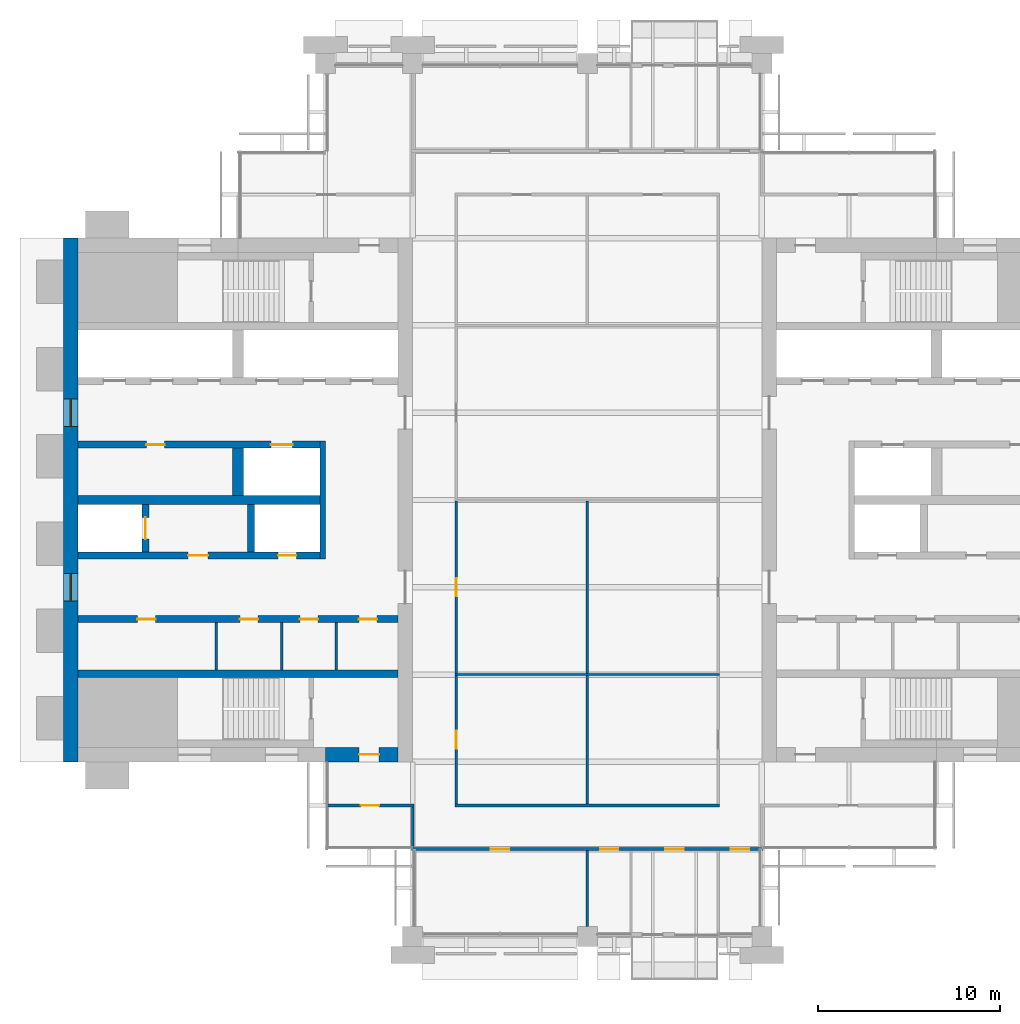
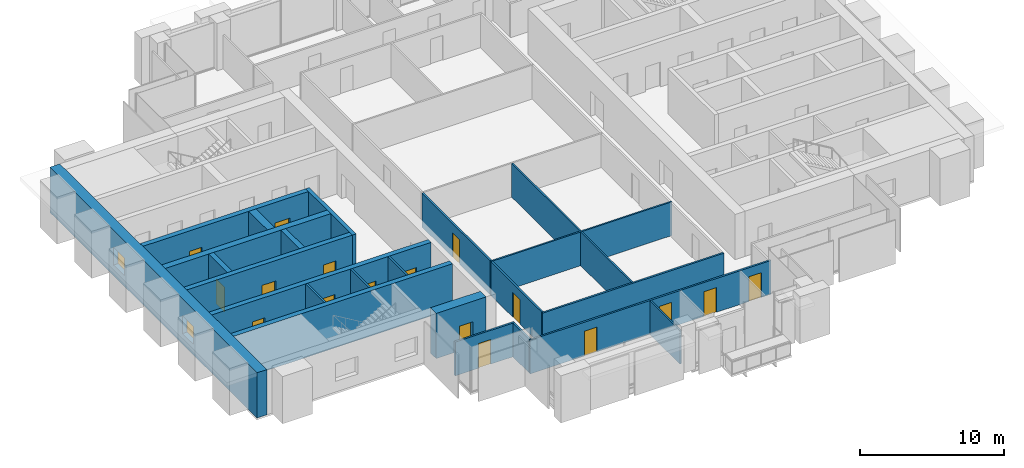
# One storey, part 8 of 14: 24 walls, 17 doors, 2 windows, 19 openings.
"""IFC4 building model written with IfcOpenShell, lengths in metres."""

from ifc_helpers import new_model, si_unit, direction, frame, frame_2d, origin, place, context, subcontext, project, spatial, rectangle, extrude, material, layer, layer_set, type_object, element, fill, save


model = new_model("IFC4")

# Units and contexts
model_context = context("Model", 3, precision=1e-05, world=origin(), true_north=direction((0.0, 1.0)))
body_context = subcontext(model_context, "Body", "Model", "MODEL_VIEW")
ifc_project = project(units=[si_unit("LENGTHUNIT", "METRE"), si_unit("AREAUNIT", "SQUARE_METRE"), si_unit("VOLUMEUNIT", "CUBIC_METRE"), si_unit("PLANEANGLEUNIT", "RADIAN"), si_unit("MASSUNIT", "GRAM", prefix="KILO")], contexts=[model_context])

# Site, building, storey
site_placement = place(None, origin())
site = spatial("IfcSite", under=ifc_project, at=site_placement, CompositionType="ELEMENT")
building_placement = place(site_placement, origin())
building = spatial("IfcBuilding", under=site, at=building_placement, Name="Baori Bourse Tower", CompositionType="ELEMENT")
storey_placement = place(building_placement, frame((0.0, 0.0, 221.199951171875)))
storey = spatial("IfcBuildingStorey", under=building, at=storey_placement, Name="L48", CompositionType="ELEMENT", Elevation=221.199951171875)

# Walls
ifc_material_1 = material(Name="Blockwork partition", Category="masonry")
ifc_layer_1 = layer(ifc_material_1, 0.14990234375)
ifc_layer_set_1 = layer_set([ifc_layer_1], Name="Core partition 150")
wall_type_1 = type_object("IfcWallType", Name="Core partition 150", PredefinedType="PARTITIONING", material=ifc_layer_set_1)
for number, where, z_axis, x_axis, name in (
    (1, (8.39990234375, 14.64990234375, 0.0), (0.0, 0.0, 1.0), (0.0, 1.0, 0.0), "Partition wall W09"),
    (2, (12.0, 14.64990234375, 0.0), (0.0, 0.0, 1.0), (0.0, 1.0, 0.0), "Partition wall W10"),
    (3, (15.0, 14.64990234375, 0.0), (0.0, 0.0, 1.0), (0.0, 1.0, 0.0), "Partition wall W11"),
):
    element("IfcWall", number, at=place(storey_placement, frame(where, z_axis=z_axis, x_axis=x_axis)), inside=storey, type_object=wall_type_1, Name=name, PredefinedType="PARTITIONING", context=body_context, shape_type="SweptSolid", body=[
        extrude(rectangle(XDim=2.60009765625, YDim=0.14990234375, at=frame_2d((1.300048828125, 0.0))), origin(), (0.0, 0.0, 1.0), 3.840087890625),
    ])

# Wall, openings, windows
ifc_material_2 = material(Name="Concrete f'c 50 MPa", Category="concrete")
ifc_layer_2 = layer(ifc_material_2, 0.800048828125)
ifc_layer_set_2 = layer_set([ifc_layer_2], Name="Core wall 800 f'c 50")
wall_type_2 = type_object("IfcWallType", Name="Core wall 800 f'c 50", PredefinedType="SHEAR", material=ifc_layer_set_2)
wall_1_placement = place(storey_placement, frame((0.39990234375, 9.60009765625, 0.0), z_axis=(0.0, 0.0, 1.0), x_axis=(0.0, 1.0, 0.0)))
wall_1 = element("IfcWall", 4, at=wall_1_placement, inside=storey, type_object=wall_type_2, Name="Core wall W01", PredefinedType="SHEAR", context=body_context, shape_type="SweptSolid", body=[
    extrude(rectangle(XDim=28.7998046875, YDim=0.800048828125, at=frame_2d((14.39990234375, 0.0))), origin(), (0.0, 0.0, 1.0), 3.840087890625),
])
opening_1_placement = place(wall_1_placement, frame((8.85009765625, 0.0, 0.89990234375)))
opening_1 = element("IfcOpeningElement", 5, at=opening_1_placement, cuts=wall_1, Name="Opening L48-KW101", PredefinedType="OPENING", context=body_context, shape_type="SweptSolid", body=[
    extrude(rectangle(XDim=1.5, YDim=1.5, at=frame_2d((0.75, 0.75))), frame((0.0, 0.409912109375, 0.0), z_axis=(0.0, -1.0, 0.0), x_axis=(1.0, 0.0, 0.0)), (0.0, 0.0, 1.0), 0.820068359375),
])
opening_2_placement = place(wall_1_placement, frame((18.449951171875, 0.0, 0.89990234375)))
opening_2 = element("IfcOpeningElement", 6, at=opening_2_placement, cuts=wall_1, Name="Opening L48-KW102", PredefinedType="OPENING", context=body_context, shape_type="SweptSolid", body=[
    extrude(rectangle(XDim=1.5, YDim=1.5, at=frame_2d((0.75, 0.75))), frame((0.0, 0.409912109375, 0.0), z_axis=(0.0, -1.0, 0.0), x_axis=(1.0, 0.0, 0.0)), (0.0, 0.0, 1.0), 0.820068359375),
])
ifc_material_3 = material(Name="Pale anodised aluminium", Category="aluminium")
window_type = type_object("IfcWindowType", Name="Lobby window 1500 x 1500", PartitioningType="SINGLE_PANEL", PredefinedType="WINDOW", material=ifc_material_3)
window_1_placement = place(opening_1_placement, origin())
window_1 = element("IfcWindow", 7, at=window_1_placement, inside=storey, type_object=window_type, Name="Outer wall window W L48 1", OverallHeight=1.5, OverallWidth=1.5, PartitioningType="SINGLE_PANEL", PredefinedType="WINDOW", context=body_context, shape_type="SweptSolid", body=[
    extrude(rectangle(XDim=1.5, YDim=1.5, at=frame_2d((0.75, 0.75))), frame((0.0, 0.030029296875, 0.0), z_axis=(0.0, -1.0, 0.0), x_axis=(1.0, 0.0, 0.0)), (0.0, 0.0, 1.0), 0.06005859375),
])
fill(opening_1, window_1)
window_2_placement = place(opening_2_placement, origin())
window_2 = element("IfcWindow", 8, at=window_2_placement, inside=storey, type_object=window_type, Name="Outer wall window W L48 2", OverallHeight=1.5, OverallWidth=1.5, PartitioningType="SINGLE_PANEL", PredefinedType="WINDOW", context=body_context, shape_type="SweptSolid", body=[
    extrude(rectangle(XDim=1.5, YDim=1.5, at=frame_2d((0.75, 0.75))), frame((0.0, 0.030029296875, 0.0), z_axis=(0.0, -1.0, 0.0), x_axis=(1.0, 0.0, 0.0)), (0.0, 0.0, 1.0), 0.06005859375),
])
fill(opening_2, window_2)

# Wall, opening, door
wall_2_placement = place(storey_placement, frame((18.39990234375, 10.0, 0.0), z_axis=(0.0, 0.0, 1.0), x_axis=(-1.0, 0.0, 0.0)))
wall_2 = element("IfcWall", 9, at=wall_2_placement, inside=storey, type_object=wall_type_2, Name="Core wall W03", PredefinedType="SHEAR", context=body_context, shape_type="SweptSolid", body=[
    extrude(rectangle(XDim=4.0, YDim=0.800048828125, at=frame_2d((2.0, 0.0))), origin(), (0.0, 0.0, 1.0), 3.840087890625),
])
opening_3_placement = place(wall_2_placement, frame((1.050048828125, 0.0, 0.0)))
opening_3 = element("IfcOpeningElement", 10, at=opening_3_placement, cuts=wall_2, Name="Opening L48-D102", PredefinedType="OPENING", context=body_context, shape_type="SweptSolid", body=[
    extrude(rectangle(XDim=1.10009765625, YDim=2.10009765625, at=frame_2d((0.550048828125, 1.050048828125))), frame((0.0, 0.409912109375, 0.0), z_axis=(0.0, -1.0, 0.0), x_axis=(1.0, 0.0, 0.0)), (0.0, 0.0, 1.0), 0.820068359375),
])
ifc_material_4 = material(Name="Painted steel door", Category="steel")
door_type_1 = type_object("IfcDoorType", Name="Stair door 1100", OperationType="SINGLE_SWING_LEFT", PredefinedType="DOOR", material=ifc_material_4)
door_1_placement = place(opening_3_placement, origin())
door_1 = element("IfcDoor", 11, at=door_1_placement, inside=storey, type_object=door_type_1, Name="Stair vestibule door A W L48", OperationType="SINGLE_SWING_LEFT", OverallHeight=2.10009765625, OverallWidth=1.10009765625, PredefinedType="DOOR", context=body_context, shape_type="SweptSolid", body=[
    extrude(rectangle(XDim=1.10009765625, YDim=2.10009765625, at=frame_2d((0.550048828125, 1.050048828125))), frame((0.0, 0.02490234375, 0.0), z_axis=(0.0, -1.0, 0.0), x_axis=(1.0, 0.0, 0.0)), (0.0, 0.0, 1.0), 0.050048828125),
])
fill(opening_3, door_1)

# Wall, openings, doors
ifc_material_5 = material(Name="Gypsum board partition")
ifc_layer_3 = layer(ifc_material_5, 0.14990234375)
ifc_layer_set_3 = layer_set([ifc_layer_3], Name="Corridor partition 150")
wall_type_3 = type_object("IfcWallType", Name="Corridor partition 150", PredefinedType="PARTITIONING", material=ifc_layer_set_3)
wall_3_placement = place(storey_placement, frame((19.125, 4.800048828125, 0.0), z_axis=(0.0, 0.0, 1.0), x_axis=(1.0, 0.0, 0.0)))
wall_3 = element("IfcWall", 12, at=wall_3_placement, inside=storey, type_object=wall_type_3, Name="Partition", PredefinedType="PARTITIONING", context=body_context, shape_type="SweptSolid", body=[
    extrude(rectangle(XDim=19.35009765625, YDim=0.14990234375, at=frame_2d((9.675048828125, 0.0))), origin(), (0.0, 0.0, 1.0), 2.869873046875),
])
opening_4_placement = place(wall_3_placement, frame((4.375, 0.0, 0.0)))
opening_4 = element("IfcOpeningElement", 13, at=opening_4_placement, cuts=wall_3, Name="Opening L48-D01", PredefinedType="OPENING", context=body_context, shape_type="SweptSolid", body=[
    extrude(rectangle(XDim=1.0, YDim=2.10009765625, at=frame_2d((0.5, 1.050048828125))), frame((0.0, 0.0849609375, 0.0), z_axis=(0.0, -1.0, 0.0), x_axis=(1.0, 0.0, 0.0)), (0.0, 0.0, 1.0), 0.169921875),
])
opening_5_placement = place(wall_3_placement, frame((10.375, 0.0, 0.0)))
opening_5 = element("IfcOpeningElement", 14, at=opening_5_placement, cuts=wall_3, Name="Opening L48-D02", PredefinedType="OPENING", context=body_context, shape_type="SweptSolid", body=[
    extrude(rectangle(XDim=1.0, YDim=2.10009765625, at=frame_2d((0.5, 1.050048828125))), frame((0.0, 0.0849609375, 0.0), z_axis=(0.0, -1.0, 0.0), x_axis=(1.0, 0.0, 0.0)), (0.0, 0.0, 1.0), 0.169921875),
])
opening_6_placement = place(wall_3_placement, frame((13.97509765625, 0.0, 0.0)))
opening_6 = element("IfcOpeningElement", 15, at=opening_6_placement, cuts=wall_3, Name="Opening L48-D03", PredefinedType="OPENING", context=body_context, shape_type="SweptSolid", body=[
    extrude(rectangle(XDim=1.0, YDim=2.10009765625, at=frame_2d((0.5, 1.050048828125))), frame((0.0, 0.0849609375, 0.0), z_axis=(0.0, -1.0, 0.0), x_axis=(1.0, 0.0, 0.0)), (0.0, 0.0, 1.0), 0.169921875),
])
opening_7_placement = place(wall_3_placement, frame((17.574951171875, 0.0, 0.0)))
opening_7 = element("IfcOpeningElement", 16, at=opening_7_placement, cuts=wall_3, Name="Opening L48-D04", PredefinedType="OPENING", context=body_context, shape_type="SweptSolid", body=[
    extrude(rectangle(XDim=1.0, YDim=2.10009765625, at=frame_2d((0.5, 1.050048828125))), frame((0.0, 0.0849609375, 0.0), z_axis=(0.0, -1.0, 0.0), x_axis=(1.0, 0.0, 0.0)), (0.0, 0.0, 1.0), 0.169921875),
])
ifc_material_6 = material(Name="Timber door leaf", Category="wood")
door_type_2 = type_object("IfcDoorType", Name="Door 1000 x 2100", OperationType="SINGLE_SWING_LEFT", PredefinedType="DOOR", material=ifc_material_6)
door_2_placement = place(opening_4_placement, origin())
door_2 = element("IfcDoor", 17, at=door_2_placement, inside=storey, type_object=door_type_2, Name="Door", OperationType="SINGLE_SWING_LEFT", OverallHeight=2.10009765625, OverallWidth=1.0, PredefinedType="DOOR", context=body_context, shape_type="SweptSolid", body=[
    extrude(rectangle(XDim=1.0, YDim=2.10009765625, at=frame_2d((0.5, 1.050048828125))), frame((0.0, 0.02490234375, 0.0), z_axis=(0.0, -1.0, 0.0), x_axis=(1.0, 0.0, 0.0)), (0.0, 0.0, 1.0), 0.050048828125),
])
fill(opening_4, door_2)
door_3_placement = place(opening_5_placement, origin())
door_3 = element("IfcDoor", 18, at=door_3_placement, inside=storey, type_object=door_type_2, Name="Door", OperationType="SINGLE_SWING_RIGHT", OverallHeight=2.10009765625, OverallWidth=1.0, PredefinedType="DOOR", context=body_context, shape_type="SweptSolid", body=[
    extrude(rectangle(XDim=1.0, YDim=2.10009765625, at=frame_2d((0.5, 1.050048828125))), frame((0.0, 0.02490234375, 0.0), z_axis=(0.0, -1.0, 0.0), x_axis=(1.0, 0.0, 0.0)), (0.0, 0.0, 1.0), 0.050048828125),
])
fill(opening_5, door_3)
door_4_placement = place(opening_6_placement, origin())
door_4 = element("IfcDoor", 19, at=door_4_placement, inside=storey, type_object=door_type_2, Name="Door", OperationType="SINGLE_SWING_RIGHT", OverallHeight=2.10009765625, OverallWidth=1.0, PredefinedType="DOOR", context=body_context, shape_type="SweptSolid", body=[
    extrude(rectangle(XDim=1.0, YDim=2.10009765625, at=frame_2d((0.5, 1.050048828125))), frame((0.0, 0.02490234375, 0.0), z_axis=(0.0, -1.0, 0.0), x_axis=(1.0, 0.0, 0.0)), (0.0, 0.0, 1.0), 0.050048828125),
])
fill(opening_6, door_4)
door_5_placement = place(opening_7_placement, origin())
door_5 = element("IfcDoor", 20, at=door_5_placement, inside=storey, type_object=door_type_2, Name="Door", OperationType="SINGLE_SWING_RIGHT", OverallHeight=2.10009765625, OverallWidth=1.0, PredefinedType="DOOR", context=body_context, shape_type="SweptSolid", body=[
    extrude(rectangle(XDim=1.0, YDim=2.10009765625, at=frame_2d((0.5, 1.050048828125))), frame((0.0, 0.02490234375, 0.0), z_axis=(0.0, -1.0, 0.0), x_axis=(1.0, 0.0, 0.0)), (0.0, 0.0, 1.0), 0.050048828125),
])
fill(opening_7, door_5)

# Wall, opening, door
wall_4_placement = place(storey_placement, frame((14.5, 7.199951171875, 0.0), z_axis=(0.0, 0.0, 1.0), x_axis=(1.0, 0.0, 0.0)))
wall_4 = element("IfcWall", 21, at=wall_4_placement, inside=storey, type_object=wall_type_3, Name="Partition", PredefinedType="PARTITIONING", context=body_context, shape_type="SweptSolid", body=[
    extrude(rectangle(XDim=4.77490234375, YDim=0.14990234375, at=frame_2d((2.387451171875, 0.0))), origin(), (0.0, 0.0, 1.0), 2.869873046875),
])
opening_8_placement = place(wall_4_placement, frame((1.85009765625, 0.0, 0.0)))
opening_8 = element("IfcOpeningElement", 22, at=opening_8_placement, cuts=wall_4, Name="Opening L48-D05", PredefinedType="OPENING", context=body_context, shape_type="SweptSolid", body=[
    extrude(rectangle(XDim=1.0, YDim=2.10009765625, at=frame_2d((0.5, 1.050048828125))), frame((0.0, 0.0849609375, 0.0), z_axis=(0.0, -1.0, 0.0), x_axis=(1.0, 0.0, 0.0)), (0.0, 0.0, 1.0), 0.169921875),
])
door_6_placement = place(opening_8_placement, origin())
door_6 = element("IfcDoor", 23, at=door_6_placement, inside=storey, type_object=door_type_2, Name="Door", OperationType="SINGLE_SWING_LEFT", OverallHeight=2.10009765625, OverallWidth=1.0, PredefinedType="DOOR", context=body_context, shape_type="SweptSolid", body=[
    extrude(rectangle(XDim=1.0, YDim=2.10009765625, at=frame_2d((0.5, 1.050048828125))), frame((0.0, 0.02490234375, 0.0), z_axis=(0.0, -1.0, 0.0), x_axis=(1.0, 0.0, 0.0)), (0.0, 0.0, 1.0), 0.050048828125),
])
fill(opening_8, door_6)

# Walls
wall_5_placement = place(storey_placement, frame((21.52490234375, 7.199951171875, 0.0), z_axis=(0.0, 0.0, 1.0), x_axis=(1.0, 0.0, 0.0)))
element("IfcWall", 24, at=wall_5_placement, inside=storey, type_object=wall_type_3, Name="Partition", PredefinedType="PARTITIONING", context=body_context, shape_type="SweptSolid", body=[
    extrude(rectangle(XDim=14.550048828125, YDim=0.14990234375, at=frame_2d((7.27490234375, 0.0))), origin(), (0.0, 0.0, 1.0), 2.869873046875),
])
wall_6_placement = place(storey_placement, frame((19.199951171875, 4.875, 0.0), z_axis=(0.0, 0.0, 1.0), x_axis=(0.0, 1.0, 0.0)))
element("IfcWall", 25, at=wall_6_placement, inside=storey, type_object=wall_type_3, Name="Partition", PredefinedType="PARTITIONING", context=body_context, shape_type="SweptSolid", body=[
    extrude(rectangle(XDim=2.25, YDim=0.14990234375, at=frame_2d((1.125, 0.0))), origin(), (0.0, 0.0, 1.0), 2.869873046875),
])

# Wall, opening, door
wall_7_placement = place(storey_placement, frame((21.60009765625, 7.27490234375, 0.0), z_axis=(0.0, 0.0, 1.0), x_axis=(0.0, 1.0, 0.0)))
wall_7 = element("IfcWall", 26, at=wall_7_placement, inside=storey, type_object=wall_type_3, Name="Partition", PredefinedType="PARTITIONING", context=body_context, shape_type="SweptSolid", body=[
    extrude(rectangle(XDim=7.0625, YDim=0.14990234375, at=frame_2d((3.53125, 0.0))), origin(), (0.0, 0.0, 1.0), 2.869873046875),
])
opening_9_placement = place(wall_7_placement, frame((3.03125, 0.0, 0.0)))
opening_9 = element("IfcOpeningElement", 27, at=opening_9_placement, cuts=wall_7, Name="Opening L48-D15", PredefinedType="OPENING", context=body_context, shape_type="SweptSolid", body=[
    extrude(rectangle(XDim=1.0, YDim=2.10009765625, at=frame_2d((0.5, 1.050048828125))), frame((0.0, 0.0849609375, 0.0), z_axis=(0.0, -1.0, 0.0), x_axis=(1.0, 0.0, 0.0)), (0.0, 0.0, 1.0), 0.169921875),
])
door_7_placement = place(opening_9_placement, origin())
door_7 = element("IfcDoor", 28, at=door_7_placement, inside=storey, type_object=door_type_2, Name="Door", OperationType="SINGLE_SWING_LEFT", OverallHeight=2.10009765625, OverallWidth=1.0, PredefinedType="DOOR", context=body_context, shape_type="SweptSolid", body=[
    extrude(rectangle(XDim=1.0, YDim=2.10009765625, at=frame_2d((0.5, 1.050048828125))), frame((0.0, 0.02490234375, 0.0), z_axis=(0.0, -1.0, 0.0), x_axis=(1.0, 0.0, 0.0)), (0.0, 0.0, 1.0), 0.050048828125),
])
fill(opening_9, door_7)

wall_8_placement = place(storey_placement, frame((21.60009765625, 14.46240234375, 0.0), z_axis=(0.0, 0.0, 1.0), x_axis=(0.0, 1.0, 0.0)))
wall_8 = element("IfcWall", 29, at=wall_8_placement, inside=storey, type_object=wall_type_3, Name="Partition", PredefinedType="PARTITIONING", context=body_context, shape_type="SweptSolid", body=[
    extrude(rectangle(XDim=9.47509765625, YDim=0.14990234375, at=frame_2d((4.737548828125, 0.0))), origin(), (0.0, 0.0, 1.0), 2.869873046875),
])
opening_10_placement = place(wall_8_placement, frame((4.237548828125, 0.0, 0.0)))
opening_10 = element("IfcOpeningElement", 30, at=opening_10_placement, cuts=wall_8, Name="Opening L48-D16", PredefinedType="OPENING", context=body_context, shape_type="SweptSolid", body=[
    extrude(rectangle(XDim=1.0, YDim=2.10009765625, at=frame_2d((0.5, 1.050048828125))), frame((0.0, 0.0849609375, 0.0), z_axis=(0.0, -1.0, 0.0), x_axis=(1.0, 0.0, 0.0)), (0.0, 0.0, 1.0), 0.169921875),
])
door_8_placement = place(opening_10_placement, origin())
door_8 = element("IfcDoor", 31, at=door_8_placement, inside=storey, type_object=door_type_2, Name="Door", OperationType="SINGLE_SWING_LEFT", OverallHeight=2.10009765625, OverallWidth=1.0, PredefinedType="DOOR", context=body_context, shape_type="SweptSolid", body=[
    extrude(rectangle(XDim=1.0, YDim=2.10009765625, at=frame_2d((0.5, 1.050048828125))), frame((0.0, 0.02490234375, 0.0), z_axis=(0.0, -1.0, 0.0), x_axis=(1.0, 0.0, 0.0)), (0.0, 0.0, 1.0), 0.050048828125),
])
fill(opening_10, door_8)

# Walls
ifc_material_7 = material(Name="Gypsum board partition")
ifc_layer_4 = layer(ifc_material_7, 0.125)
ifc_layer_set_4 = layer_set([ifc_layer_4], Name="Partition 125")
wall_type_4 = type_object("IfcWallType", Name="Partition 125", PredefinedType="PARTITIONING", material=ifc_layer_set_4)
wall_9_placement = place(storey_placement, frame((21.52490234375, 14.39990234375, 0.0), z_axis=(0.0, 0.0, 1.0), x_axis=(1.0, 0.0, 0.0)))
element("IfcWall", 32, at=wall_9_placement, inside=storey, type_object=wall_type_4, Name="Partition", PredefinedType="PARTITIONING", context=body_context, shape_type="SweptSolid", body=[
    extrude(rectangle(XDim=14.550048828125, YDim=0.125, at=frame_2d((7.27490234375, 0.0))), origin(), (0.0, 0.0, 1.0), 2.869873046875),
])
wall_10_placement = place(storey_placement, frame((28.800048828125, 0.550048828125, 0.0), z_axis=(0.0, 0.0, 1.0), x_axis=(0.0, 1.0, 0.0)))
element("IfcWall", 33, at=wall_10_placement, inside=storey, type_object=wall_type_4, Name="Partition", PredefinedType="PARTITIONING", context=body_context, shape_type="SweptSolid", body=[
    extrude(rectangle(XDim=4.175048828125, YDim=0.125, at=frame_2d((2.08740234375, 0.0))), origin(), (0.0, 0.0, 1.0), 2.869873046875),
])
wall_11_placement = place(storey_placement, frame((28.800048828125, 7.27490234375, 0.0), z_axis=(0.0, 0.0, 1.0), x_axis=(0.0, 1.0, 0.0)))
element("IfcWall", 34, at=wall_11_placement, inside=storey, type_object=wall_type_4, Name="Partition", PredefinedType="PARTITIONING", context=body_context, shape_type="SweptSolid", body=[
    extrude(rectangle(XDim=7.0625, YDim=0.125, at=frame_2d((3.53125, 0.0))), origin(), (0.0, 0.0, 1.0), 2.869873046875),
])
wall_12_placement = place(storey_placement, frame((28.800048828125, 14.46240234375, 0.0), z_axis=(0.0, 0.0, 1.0), x_axis=(0.0, 1.0, 0.0)))
element("IfcWall", 35, at=wall_12_placement, inside=storey, type_object=wall_type_4, Name="Partition", PredefinedType="PARTITIONING", context=body_context, shape_type="SweptSolid", body=[
    extrude(rectangle(XDim=9.47509765625, YDim=0.125, at=frame_2d((4.737548828125, 0.0))), origin(), (0.0, 0.0, 1.0), 2.869873046875),
])
ifc_material_8 = material(Name="Concrete f'c 50 MPa", Category="concrete")
ifc_layer_5 = layer(ifc_material_8, 0.300048828125)
ifc_layer_set_5 = layer_set([ifc_layer_5], Name="Shaft wall 300 f'c 50")
wall_type_5 = type_object("IfcWallType", Name="Shaft wall 300 f'c 50", PredefinedType="SHEAR", material=ifc_layer_set_5)
wall_13_placement = place(storey_placement, frame((14.25, 20.75, 0.0), z_axis=(0.0, 0.0, 1.0), x_axis=(0.0, 1.0, 0.0)))
element("IfcWall", 36, at=wall_13_placement, inside=storey, type_object=wall_type_5, Name="Core wall W14", PredefinedType="SHEAR", context=body_context, shape_type="SweptSolid", body=[
    extrude(rectangle(XDim=6.5, YDim=0.300048828125, at=frame_2d((3.25, 0.0))), origin(), (0.0, 0.0, 1.0), 3.840087890625),
])
ifc_material_9 = material(Name="Concrete f'c 50 MPa", Category="concrete")
ifc_layer_6 = layer(ifc_material_9, 0.39990234375)
ifc_layer_set_6 = layer_set([ifc_layer_6], Name="Shaft wall 400 f'c 50")
wall_type_6 = type_object("IfcWallType", Name="Shaft wall 400 f'c 50", PredefinedType="SHEAR", material=ifc_layer_set_6)
wall_14_placement = place(storey_placement, frame((0.800048828125, 14.449951171875, 0.0), z_axis=(0.0, 0.0, 1.0), x_axis=(1.0, 0.0, 0.0)))
element("IfcWall", 37, at=wall_14_placement, inside=storey, type_object=wall_type_6, Name="Core wall W08", PredefinedType="SHEAR", context=body_context, shape_type="SweptSolid", body=[
    extrude(rectangle(XDim=17.599853515625, YDim=0.39990234375, at=frame_2d((8.7998046875, 0.0))), origin(), (0.0, 0.0, 1.0), 3.840087890625),
])

# Wall, openings, doors
wall_15_placement = place(storey_placement, frame((0.800048828125, 17.449951171875, 0.0), z_axis=(0.0, 0.0, 1.0), x_axis=(1.0, 0.0, 0.0)))
wall_15 = element("IfcWall", 38, at=wall_15_placement, inside=storey, type_object=wall_type_6, Name="Core wall W12", PredefinedType="SHEAR", context=body_context, shape_type="SweptSolid", body=[
    extrude(rectangle(XDim=17.599853515625, YDim=0.39990234375, at=frame_2d((8.7998046875, 0.0))), origin(), (0.0, 0.0, 1.0), 3.840087890625),
])
opening_11_placement = place(wall_15_placement, frame((3.262451171875, 0.0, 0.0)))
opening_11 = element("IfcOpeningElement", 39, at=opening_11_placement, cuts=wall_15, Name="Opening L48-D109", PredefinedType="OPENING", context=body_context, shape_type="SweptSolid", body=[
    extrude(rectangle(XDim=1.0, YDim=2.10009765625, at=frame_2d((0.5, 1.050048828125))), frame((0.0, 0.2099609375, 0.0), z_axis=(0.0, -1.0, 0.0), x_axis=(1.0, 0.0, 0.0)), (0.0, 0.0, 1.0), 0.419921875),
])
opening_12_placement = place(wall_15_placement, frame((8.89990234375, 0.0, 0.0)))
opening_12 = element("IfcOpeningElement", 40, at=opening_12_placement, cuts=wall_15, Name="Opening L48-D110", PredefinedType="OPENING", context=body_context, shape_type="SweptSolid", body=[
    extrude(rectangle(XDim=1.0, YDim=2.10009765625, at=frame_2d((0.5, 1.050048828125))), frame((0.0, 0.2099609375, 0.0), z_axis=(0.0, -1.0, 0.0), x_axis=(1.0, 0.0, 0.0)), (0.0, 0.0, 1.0), 0.419921875),
])
opening_13_placement = place(wall_15_placement, frame((12.199951171875, 0.0, 0.0)))
opening_13 = element("IfcOpeningElement", 41, at=opening_13_placement, cuts=wall_15, Name="Opening L48-D111", PredefinedType="OPENING", context=body_context, shape_type="SweptSolid", body=[
    extrude(rectangle(XDim=1.0, YDim=2.10009765625, at=frame_2d((0.5, 1.050048828125))), frame((0.0, 0.2099609375, 0.0), z_axis=(0.0, -1.0, 0.0), x_axis=(1.0, 0.0, 0.0)), (0.0, 0.0, 1.0), 0.419921875),
])
opening_14_placement = place(wall_15_placement, frame((15.4375, 0.0, 0.0)))
opening_14 = element("IfcOpeningElement", 42, at=opening_14_placement, cuts=wall_15, Name="Opening L48-D112", PredefinedType="OPENING", context=body_context, shape_type="SweptSolid", body=[
    extrude(rectangle(XDim=1.0, YDim=2.10009765625, at=frame_2d((0.5, 1.050048828125))), frame((0.0, 0.2099609375, 0.0), z_axis=(0.0, -1.0, 0.0), x_axis=(1.0, 0.0, 0.0)), (0.0, 0.0, 1.0), 0.419921875),
])
ifc_material_10 = material(Name="Painted steel door", Category="steel")
door_type_3 = type_object("IfcDoorType", Name="Core door 1000", OperationType="SINGLE_SWING_LEFT", PredefinedType="DOOR", material=ifc_material_10)
door_9_placement = place(opening_11_placement, origin())
door_9 = element("IfcDoor", 43, at=door_9_placement, inside=storey, type_object=door_type_3, Name="Men'S Wc door W L48", OperationType="SINGLE_SWING_LEFT", OverallHeight=2.10009765625, OverallWidth=1.0, PredefinedType="DOOR", context=body_context, shape_type="SweptSolid", body=[
    extrude(rectangle(XDim=1.0, YDim=2.10009765625, at=frame_2d((0.5, 1.050048828125))), frame((0.0, 0.02490234375, 0.0), z_axis=(0.0, -1.0, 0.0), x_axis=(1.0, 0.0, 0.0)), (0.0, 0.0, 1.0), 0.050048828125),
])
fill(opening_11, door_9)
door_10_placement = place(opening_12_placement, origin())
door_10 = element("IfcDoor", 44, at=door_10_placement, inside=storey, type_object=door_type_3, Name="Women'S Wc door W L48", OperationType="SINGLE_SWING_LEFT", OverallHeight=2.10009765625, OverallWidth=1.0, PredefinedType="DOOR", context=body_context, shape_type="SweptSolid", body=[
    extrude(rectangle(XDim=1.0, YDim=2.10009765625, at=frame_2d((0.5, 1.050048828125))), frame((0.0, 0.02490234375, 0.0), z_axis=(0.0, -1.0, 0.0), x_axis=(1.0, 0.0, 0.0)), (0.0, 0.0, 1.0), 0.050048828125),
])
fill(opening_12, door_10)
door_11_placement = place(opening_13_placement, origin())
door_11 = element("IfcDoor", 45, at=door_11_placement, inside=storey, type_object=door_type_3, Name="Accessible Wc door W L48", OperationType="SINGLE_SWING_LEFT", OverallHeight=2.10009765625, OverallWidth=1.0, PredefinedType="DOOR", context=body_context, shape_type="SweptSolid", body=[
    extrude(rectangle(XDim=1.0, YDim=2.10009765625, at=frame_2d((0.5, 1.050048828125))), frame((0.0, 0.02490234375, 0.0), z_axis=(0.0, -1.0, 0.0), x_axis=(1.0, 0.0, 0.0)), (0.0, 0.0, 1.0), 0.050048828125),
])
fill(opening_13, door_11)
door_12_placement = place(opening_14_placement, origin())
door_12 = element("IfcDoor", 46, at=door_12_placement, inside=storey, type_object=door_type_3, Name="Store Room door W L48", OperationType="SINGLE_SWING_LEFT", OverallHeight=2.10009765625, OverallWidth=1.0, PredefinedType="DOOR", context=body_context, shape_type="SweptSolid", body=[
    extrude(rectangle(XDim=1.0, YDim=2.10009765625, at=frame_2d((0.5, 1.050048828125))), frame((0.0, 0.02490234375, 0.0), z_axis=(0.0, -1.0, 0.0), x_axis=(1.0, 0.0, 0.0)), (0.0, 0.0, 1.0), 0.050048828125),
])
fill(opening_14, door_12)

wall_16_placement = place(storey_placement, frame((0.800048828125, 20.949951171875, 0.0), z_axis=(0.0, 0.0, 1.0), x_axis=(1.0, 0.0, 0.0)))
wall_16 = element("IfcWall", 47, at=wall_16_placement, inside=storey, type_object=wall_type_6, Name="Core wall W13", PredefinedType="SHEAR", context=body_context, shape_type="SweptSolid", body=[
    extrude(rectangle(XDim=13.300048828125, YDim=0.39990234375, at=frame_2d((6.64990234375, 0.0))), origin(), (0.0, 0.0, 1.0), 3.840087890625),
])
opening_15_placement = place(wall_16_placement, frame((6.050048828125, 0.0, 0.0)))
opening_15 = element("IfcOpeningElement", 48, at=opening_15_placement, cuts=wall_16, Name="Opening L48-D105", PredefinedType="OPENING", context=body_context, shape_type="SweptSolid", body=[
    extrude(rectangle(XDim=1.10009765625, YDim=2.10009765625, at=frame_2d((0.550048828125, 1.050048828125))), frame((0.0, 0.2099609375, 0.0), z_axis=(0.0, -1.0, 0.0), x_axis=(1.0, 0.0, 0.0)), (0.0, 0.0, 1.0), 0.419921875),
])
opening_16_placement = place(wall_16_placement, frame((11.0, 0.0, 0.0)))
opening_16 = element("IfcOpeningElement", 49, at=opening_16_placement, cuts=wall_16, Name="Opening L48-D106", PredefinedType="OPENING", context=body_context, shape_type="SweptSolid", body=[
    extrude(rectangle(XDim=1.0, YDim=2.10009765625, at=frame_2d((0.5, 1.050048828125))), frame((0.0, 0.2099609375, 0.0), z_axis=(0.0, -1.0, 0.0), x_axis=(1.0, 0.0, 0.0)), (0.0, 0.0, 1.0), 0.419921875),
])
ifc_material_11 = material(Name="Painted steel door", Category="steel")
door_type_4 = type_object("IfcDoorType", Name="Lobby door 1100", OperationType="SINGLE_SWING_LEFT", PredefinedType="DOOR", material=ifc_material_11)
door_13_placement = place(opening_15_placement, origin())
door_13 = element("IfcDoor", 50, at=door_13_placement, inside=storey, type_object=door_type_4, Name="Firefighting lobby door W L48", OperationType="SINGLE_SWING_LEFT", OverallHeight=2.10009765625, OverallWidth=1.10009765625, PredefinedType="DOOR", context=body_context, shape_type="SweptSolid", body=[
    extrude(rectangle(XDim=1.10009765625, YDim=2.10009765625, at=frame_2d((0.550048828125, 1.050048828125))), frame((0.0, 0.02490234375, 0.0), z_axis=(0.0, -1.0, 0.0), x_axis=(1.0, 0.0, 0.0)), (0.0, 0.0, 1.0), 0.050048828125),
])
fill(opening_15, door_13)
ifc_material_12 = material(Name="Painted steel door", Category="steel")
door_type_5 = type_object("IfcDoorType", Name="Shaft door 1000", OperationType="SINGLE_SWING_LEFT", PredefinedType="DOOR", material=ifc_material_12)
door_14_placement = place(opening_16_placement, origin())
door_14 = element("IfcDoor", 51, at=door_14_placement, inside=storey, type_object=door_type_5, Name="Riser room door W L48", OperationType="SINGLE_SWING_LEFT", OverallHeight=2.10009765625, OverallWidth=1.0, PredefinedType="DOOR", context=body_context, shape_type="SweptSolid", body=[
    extrude(rectangle(XDim=1.0, YDim=2.10009765625, at=frame_2d((0.5, 1.050048828125))), frame((0.0, 0.02490234375, 0.0), z_axis=(0.0, -1.0, 0.0), x_axis=(1.0, 0.0, 0.0)), (0.0, 0.0, 1.0), 0.050048828125),
])
fill(opening_16, door_14)

# Wall, opening, door
wall_17_placement = place(storey_placement, frame((4.5, 21.14990234375, 0.0), z_axis=(0.0, 0.0, 1.0), x_axis=(0.0, 1.0, 0.0)))
wall_17 = element("IfcWall", 52, at=wall_17_placement, inside=storey, type_object=wall_type_6, Name="Core wall W15", PredefinedType="SHEAR", context=body_context, shape_type="SweptSolid", body=[
    extrude(rectangle(XDim=2.60009765625, YDim=0.39990234375, at=frame_2d((1.300048828125, 0.0))), origin(), (0.0, 0.0, 1.0), 3.840087890625),
])
opening_17_placement = place(wall_17_placement, frame((0.699951171875, 0.0, 0.0)))
opening_17 = element("IfcOpeningElement", 53, at=opening_17_placement, cuts=wall_17, Name="Opening L48-D121", PredefinedType="OPENING", context=body_context, shape_type="SweptSolid", body=[
    extrude(rectangle(XDim=1.199951171875, YDim=2.10009765625, at=frame_2d((0.60009765625, 1.050048828125))), frame((0.0, 0.2099609375, 0.0), z_axis=(0.0, -1.0, 0.0), x_axis=(1.0, 0.0, 0.0)), (0.0, 0.0, 1.0), 0.419921875),
])
ifc_material_13 = material(Name="Stainless steel door", Category="steel")
door_type_6 = type_object("IfcDoorType", Name="Lift landing door", OperationType="DOUBLE_DOOR_SLIDING", PredefinedType="DOOR", material=ifc_material_13)
door_15_placement = place(opening_17_placement, origin())
door_15 = element("IfcDoor", 54, at=door_15_placement, inside=storey, type_object=door_type_6, Name="Lift landing door FF1 W L48", OperationType="DOUBLE_DOOR_SLIDING", OverallHeight=2.10009765625, OverallWidth=1.199951171875, PredefinedType="DOOR", context=body_context, shape_type="SweptSolid", body=[
    extrude(rectangle(XDim=1.199951171875, YDim=2.10009765625, at=frame_2d((0.60009765625, 1.050048828125))), frame((0.0, 0.02490234375, 0.0), z_axis=(0.0, -1.0, 0.0), x_axis=(1.0, 0.0, 0.0)), (0.0, 0.0, 1.0), 0.050048828125),
])
fill(opening_17, door_15)

# Wall
wall_18_placement = place(storey_placement, frame((10.300048828125, 21.14990234375, 0.0), z_axis=(0.0, 0.0, 1.0), x_axis=(0.0, 1.0, 0.0)))
element("IfcWall", 55, at=wall_18_placement, inside=storey, type_object=wall_type_6, Name="Core wall W16", PredefinedType="SHEAR", context=body_context, shape_type="SweptSolid", body=[
    extrude(rectangle(XDim=2.60009765625, YDim=0.39990234375, at=frame_2d((1.300048828125, 0.0))), origin(), (0.0, 0.0, 1.0), 3.840087890625),
])

# Wall, openings, doors
wall_19_placement = place(storey_placement, frame((0.800048828125, 27.050048828125, 0.0), z_axis=(0.0, 0.0, 1.0), x_axis=(1.0, 0.0, 0.0)))
wall_19 = element("IfcWall", 56, at=wall_19_placement, inside=storey, type_object=wall_type_6, Name="Core wall W19", PredefinedType="SHEAR", context=body_context, shape_type="SweptSolid", body=[
    extrude(rectangle(XDim=13.300048828125, YDim=0.39990234375, at=frame_2d((6.64990234375, 0.0))), origin(), (0.0, 0.0, 1.0), 3.840087890625),
])
opening_18_placement = place(wall_19_placement, frame((3.75, 0.0, 0.0)))
opening_18 = element("IfcOpeningElement", 57, at=opening_18_placement, cuts=wall_19, Name="Opening L48-D113", PredefinedType="OPENING", context=body_context, shape_type="SweptSolid", body=[
    extrude(rectangle(XDim=1.0, YDim=2.10009765625, at=frame_2d((0.5, 1.050048828125))), frame((0.0, 0.2099609375, 0.0), z_axis=(0.0, -1.0, 0.0), x_axis=(1.0, 0.0, 0.0)), (0.0, 0.0, 1.0), 0.419921875),
])
opening_19_placement = place(wall_19_placement, frame((10.60009765625, 0.0, 0.0)))
opening_19 = element("IfcOpeningElement", 58, at=opening_19_placement, cuts=wall_19, Name="Opening L48-D120", PredefinedType="OPENING", context=body_context, shape_type="SweptSolid", body=[
    extrude(rectangle(XDim=1.199951171875, YDim=2.10009765625, at=frame_2d((0.60009765625, 1.050048828125))), frame((0.0, 0.2099609375, 0.0), z_axis=(0.0, -1.0, 0.0), x_axis=(1.0, 0.0, 0.0)), (0.0, 0.0, 1.0), 0.419921875),
])
door_16_placement = place(opening_18_placement, origin())
door_16 = element("IfcDoor", 59, at=door_16_placement, inside=storey, type_object=door_type_3, Name="Pantry door W L48", OperationType="SINGLE_SWING_LEFT", OverallHeight=2.10009765625, OverallWidth=1.0, PredefinedType="DOOR", context=body_context, shape_type="SweptSolid", body=[
    extrude(rectangle(XDim=1.0, YDim=2.10009765625, at=frame_2d((0.5, 1.050048828125))), frame((0.0, 0.02490234375, 0.0), z_axis=(0.0, -1.0, 0.0), x_axis=(1.0, 0.0, 0.0)), (0.0, 0.0, 1.0), 0.050048828125),
])
fill(opening_18, door_16)
door_17_placement = place(opening_19_placement, origin())
door_17 = element("IfcDoor", 60, at=door_17_placement, inside=storey, type_object=door_type_6, Name="Lift landing door SV1 W L48", OperationType="DOUBLE_DOOR_SLIDING", OverallHeight=2.10009765625, OverallWidth=1.199951171875, PredefinedType="DOOR", context=body_context, shape_type="SweptSolid", body=[
    extrude(rectangle(XDim=1.199951171875, YDim=2.10009765625, at=frame_2d((0.60009765625, 1.050048828125))), frame((0.0, 0.02490234375, 0.0), z_axis=(0.0, -1.0, 0.0), x_axis=(1.0, 0.0, 0.0)), (0.0, 0.0, 1.0), 0.050048828125),
])
fill(opening_19, door_17)

# Walls
ifc_material_14 = material(Name="Concrete f'c 50 MPa", Category="concrete")
ifc_layer_7 = layer(ifc_material_14, 0.5)
ifc_layer_set_7 = layer_set([ifc_layer_7], Name="Shaft wall 500 f'c 50")
wall_type_7 = type_object("IfcWallType", Name="Shaft wall 500 f'c 50", PredefinedType="SHEAR", material=ifc_layer_set_7)
wall_20_placement = place(storey_placement, frame((0.800048828125, 24.0, 0.0), z_axis=(0.0, 0.0, 1.0), x_axis=(1.0, 0.0, 0.0)))
element("IfcWall", 61, at=wall_20_placement, inside=storey, type_object=wall_type_7, Name="Core wall W17", PredefinedType="SHEAR", context=body_context, shape_type="SweptSolid", body=[
    extrude(rectangle(XDim=13.300048828125, YDim=0.5, at=frame_2d((6.64990234375, 0.0))), origin(), (0.0, 0.0, 1.0), 3.840087890625),
])
ifc_material_15 = material(Name="Concrete f'c 50 MPa", Category="concrete")
ifc_layer_8 = layer(ifc_material_15, 0.60009765625)
ifc_layer_set_8 = layer_set([ifc_layer_8], Name="Shaft wall 600 f'c 50")
wall_type_8 = type_object("IfcWallType", Name="Shaft wall 600 f'c 50", PredefinedType="SHEAR", material=ifc_layer_set_8)
wall_21_placement = place(storey_placement, frame((9.60009765625, 24.25, 0.0), z_axis=(0.0, 0.0, 1.0), x_axis=(0.0, 1.0, 0.0)))
element("IfcWall", 62, at=wall_21_placement, inside=storey, type_object=wall_type_8, Name="Core wall W18", PredefinedType="SHEAR", context=body_context, shape_type="SweptSolid", body=[
    extrude(rectangle(XDim=2.60009765625, YDim=0.60009765625, at=frame_2d((1.300048828125, 0.0))), origin(), (0.0, 0.0, 1.0), 3.840087890625),
])

save(model, "model.ifc")
